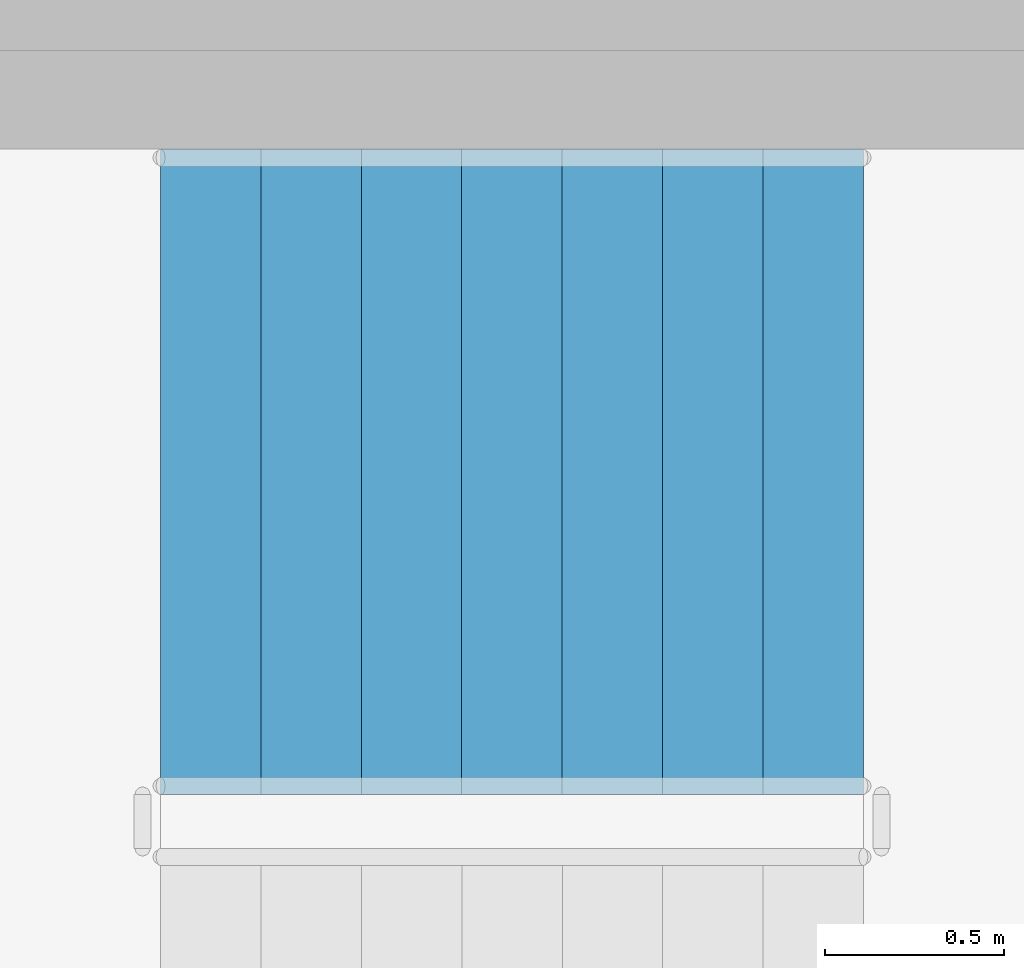
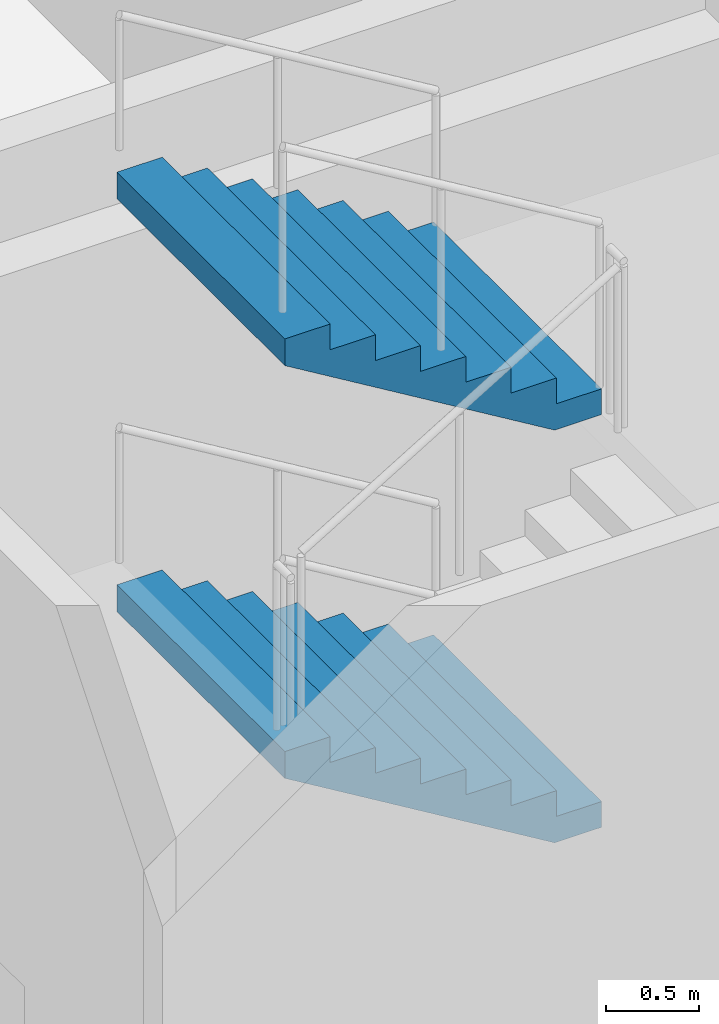
# One storey, part 36 of 101: 2 stair flights, 1 element without a shape of its own.
"""IFC4 building model written with IfcOpenShell, lengths in metres."""

from ifc_helpers import new_model, si_unit, direction, frame, origin, place, context, subcontext, project, spatial, triangles, material, type_object, element, aggregate, save


model = new_model("IFC4")

# Units and contexts
model_context = context("Model", 3, precision=1e-05, world=origin(), true_north=direction((0.0, 1.0)))
body_context = subcontext(model_context, "Body", "Model", "MODEL_VIEW")
ifc_project = project(units=[si_unit("LENGTHUNIT", "METRE"), si_unit("AREAUNIT", "SQUARE_METRE"), si_unit("VOLUMEUNIT", "CUBIC_METRE"), si_unit("PLANEANGLEUNIT", "RADIAN"), si_unit("MASSUNIT", "GRAM", prefix="KILO")], contexts=[model_context])

# Site, building, storey
site_placement = place(None, origin())
site = spatial("IfcSite", under=ifc_project, at=site_placement, CompositionType="ELEMENT")
building_placement = place(site_placement, origin())
building = spatial("IfcBuilding", under=site, at=building_placement, Name="Magnolia Steps Interchange", CompositionType="ELEMENT")
storey_placement = place(building_placement, frame((0.0, 0.0, -5.39990234375)))
storey = spatial("IfcBuildingStorey", under=building, at=storey_placement, Name="B1", CompositionType="ELEMENT", Elevation=-5.39990234375)

# Stair, stair flights
ifc_material_1 = material(Name="Concrete C40", Category="concrete")
stair_type = type_object("IfcStairType", Name="Exit stair 1800", PredefinedType="HALF_TURN_STAIR", material=ifc_material_1)
stair_placement = place(storey_placement, origin())
stair = element("IfcStair", 1, at=stair_placement, inside=storey, type_object=stair_type, Name="B1 Stair 25", PredefinedType="HALF_TURN_STAIR")
ifc_material_2 = material(Name="Concrete C40", Category="concrete")
stair_flight_type = type_object("IfcStairFlightType", Name="Exit stair flight", PredefinedType="STRAIGHT", material=ifc_material_2)
stair_flight_1_placement = place(storey_placement, frame((40.159912109375, 19.5, 1.349853515625), z_axis=(0.0, 0.0, 1.0), x_axis=(-1.0, 0.0, 0.0)))
stair_flight_1 = element("IfcStairFlight", 2, at=stair_flight_1_placement, type_object=stair_flight_type, Name="Stair 25 flight 2", NumberOfRisers=8, NumberOfTreads=7, PredefinedType="STRAIGHT", RiserHeight=0.16875, TreadLength=0.28, context=body_context, shape_type="Tessellation", body=[
    triangles([(0.0, -0.9000244140625, 0.0), (0.29052734375, -0.9000244140625, 0.0), (1.9599609375, -0.9000244140625, 1.00634765625), (1.9599609375, -0.9000244140625, 1.18115234375), (1.679931640625, -0.9000244140625, 1.18115234375), (1.679931640625, -0.9000244140625, 1.012451171875), (1.39990234375, -0.9000244140625, 1.012451171875), (1.39990234375, -0.9000244140625, 0.84375), (1.1201171875, -0.9000244140625, 0.84375), (1.1201171875, -0.9000244140625, 0.675048828125), (0.840087890625, -0.9000244140625, 0.675048828125), (0.840087890625, -0.9000244140625, 0.50634765625), (0.56005859375, -0.9000244140625, 0.50634765625), (0.56005859375, -0.9000244140625, 0.33740234375), (0.280029296875, -0.9000244140625, 0.33740234375), (0.280029296875, -0.9000244140625, 0.168701171875), (0.0, -0.9000244140625, 0.168701171875), (0.0, 0.9000244140625, 0.0), (0.29052734375, 0.9000244140625, 0.0), (1.9599609375, 0.9000244140625, 1.00634765625), (1.9599609375, 0.9000244140625, 1.18115234375), (1.679931640625, 0.9000244140625, 1.18115234375), (1.679931640625, 0.9000244140625, 1.012451171875), (1.39990234375, 0.9000244140625, 1.012451171875), (1.39990234375, 0.9000244140625, 0.84375), (1.1201171875, 0.9000244140625, 0.84375), (1.1201171875, 0.9000244140625, 0.675048828125), (0.840087890625, 0.9000244140625, 0.675048828125), (0.840087890625, 0.9000244140625, 0.50634765625), (0.56005859375, 0.9000244140625, 0.50634765625), (0.56005859375, 0.9000244140625, 0.33740234375), (0.280029296875, 0.9000244140625, 0.33740234375), (0.280029296875, 0.9000244140625, 0.168701171875), (0.0, 0.9000244140625, 0.168701171875), (0.0, 0.0, 0.0), (0.0, 0.0, 0.04217529296875), (0.0, 0.0, 0.0843505859375), (0.0, 0.0, 0.12652587890625), (0.0, 0.0, 0.168701171875), (0.0, -0.05, 0.0), (0.0, -0.05, 0.168701171875), (0.0, 0.05, 0.0), (0.0, 0.05, 0.168701171875), (0.046671549479166664, 0.0, 0.168701171875), (0.09334309895833333, 0.0, 0.168701171875), (0.1400146484375, 0.0, 0.168701171875), (0.18668619791666666, 0.0, 0.168701171875), (0.23335774739583334, 0.0, 0.168701171875), (0.280029296875, 0.0, 0.168701171875), (0.280029296875, -0.05, 0.168701171875), (0.280029296875, 0.05, 0.168701171875), (0.280029296875, 0.0, 0.21087646484375), (0.280029296875, 0.0, 0.2530517578125), (0.280029296875, 0.0, 0.29522705078125), (0.280029296875, 0.0, 0.33740234375), (0.280029296875, -0.05, 0.33740234375), (0.280029296875, 0.05, 0.33740234375), (0.3267008463541667, 0.0, 0.33740234375), (0.3733723958333333, 0.0, 0.33740234375), (0.4200439453125, 0.0, 0.33740234375), (0.46671549479166663, 0.0, 0.33740234375), (0.5133870442708334, 0.0, 0.33740234375), (0.56005859375, 0.0, 0.33740234375), (0.56005859375, -0.05, 0.33740234375), (0.56005859375, 0.05, 0.33740234375), (0.56005859375, 0.0, 0.379638671875), (0.56005859375, 0.0, 0.421875), (0.56005859375, 0.0, 0.464111328125), (0.56005859375, 0.0, 0.50634765625), (0.56005859375, -0.05, 0.50634765625), (0.56005859375, 0.05, 0.50634765625), (0.6067301432291666, 0.0, 0.50634765625), (0.6534016927083334, 0.0, 0.50634765625), (0.7000732421875, 0.0, 0.50634765625), (0.7467447916666666, 0.0, 0.50634765625), (0.7934163411458334, 0.0, 0.50634765625), (0.840087890625, 0.0, 0.50634765625), (0.840087890625, -0.05, 0.50634765625), (0.840087890625, 0.05, 0.50634765625), (0.840087890625, 0.0, 0.54852294921875), (0.840087890625, 0.0, 0.5906982421875), (0.840087890625, 0.0, 0.63287353515625), (0.840087890625, 0.0, 0.675048828125), (0.840087890625, -0.05, 0.675048828125), (0.840087890625, 0.05, 0.675048828125), (0.8867594401041666, 0.0, 0.675048828125), (0.9334309895833334, 0.0, 0.675048828125), (0.9801025390625, 0.0, 0.675048828125), (1.0267740885416667, 0.0, 0.675048828125), (1.0734456380208333, 0.0, 0.675048828125), (1.1201171875, 0.0, 0.675048828125), (1.1201171875, -0.05, 0.675048828125), (1.1201171875, 0.05, 0.675048828125), (1.1201171875, 0.0, 0.71722412109375), (1.1201171875, 0.0, 0.7593994140625), (1.1201171875, 0.0, 0.80157470703125), (1.1201171875, 0.0, 0.84375), (1.1201171875, -0.05, 0.84375), (1.1201171875, 0.05, 0.84375), (1.1900634765625, 0.0, 0.84375), (1.260009765625, 0.0, 0.84375), (1.3299560546875, 0.0, 0.84375), (1.39990234375, 0.0, 0.84375), (1.39990234375, -0.05, 0.84375), (1.39990234375, 0.05, 0.84375), (1.39990234375, 0.0, 0.88592529296875), (1.39990234375, 0.0, 0.9281005859375), (1.39990234375, 0.0, 0.97027587890625), (1.39990234375, 0.0, 1.012451171875), (1.39990234375, -0.05, 1.012451171875), (1.39990234375, 0.05, 1.012451171875), (1.4465738932291667, 0.0, 1.012451171875), (1.4932454427083333, 0.0, 1.012451171875), (1.5399169921875, 0.0, 1.012451171875), (1.5865885416666667, 0.0, 1.012451171875), (1.6332600911458333, 0.0, 1.012451171875), (1.679931640625, 0.0, 1.012451171875), (1.679931640625, -0.05, 1.012451171875), (1.679931640625, 0.05, 1.012451171875), (1.679931640625, 0.0, 1.05462646484375), (1.679931640625, 0.0, 1.0968017578125), (1.679931640625, 0.0, 1.13897705078125), (1.679931640625, 0.0, 1.18115234375), (1.679931640625, -0.05, 1.18115234375), (1.679931640625, 0.05, 1.18115234375), (1.7266031901041667, 0.0, 1.18115234375), (1.7732747395833333, 0.0, 1.18115234375), (1.8199462890625, 0.0, 1.18115234375), (1.8666178385416667, 0.0, 1.18115234375), (1.9132893880208333, 0.0, 1.18115234375), (1.9599609375, 0.0, 1.18115234375), (1.9599609375, -0.05, 1.18115234375), (1.9599609375, 0.05, 1.18115234375), (1.9599609375, 0.0, 1.137451171875), (1.9599609375, 0.0, 1.09375), (1.9599609375, 0.0, 1.050048828125), (1.9599609375, 0.0, 1.00634765625), (1.9599609375, -0.05, 1.00634765625), (1.9599609375, 0.05, 1.00634765625), (1.9003383091517858, 0.0, 0.9704066685267857), (1.8407156808035714, 0.0, 0.9344656808035714), (1.7810930524553572, 0.0, 0.8985246930803571), (1.7214704241071428, 0.0, 0.8625837053571428), (1.6618477957589286, 0.0, 0.8266427176339286), (1.6022251674107144, 0.0, 0.7907017299107143), (1.5426025390625, 0.0, 0.7547607421875), (1.4829799107142856, 0.0, 0.7188197544642857), (1.4233572823660714, 0.0, 0.6828787667410714), (1.3637346540178572, 0.0, 0.6469377790178572), (1.3041120256696428, 0.0, 0.6109967912946428), (1.2444893973214286, 0.0, 0.5750558035714286), (1.1848667689732144, 0.0, 0.5391148158482143), (1.125244140625, 0.0, 0.503173828125), (1.0656215122767856, 0.0, 0.4672328404017857), (1.0059988839285714, 0.0, 0.4312918526785714), (0.9463762555803572, 0.0, 0.3953508649553571), (0.8867536272321428, 0.0, 0.3594098772321429), (0.8271309988839286, 0.0, 0.3234688895089286), (0.7675083705357142, 0.0, 0.2875279017857143), (0.7078857421875, 0.0, 0.2515869140625), (0.6482631138392858, 0.0, 0.2156459263392857), (0.5886404854910714, 0.0, 0.1797049386160714), (0.5290178571428572, 0.0, 0.1437639508928571), (0.4693952287946428, 0.0, 0.1078229631696429), (0.4097726004464286, 0.0, 0.0718819754464286), (0.3501499720982142, 0.0, 0.0359409877232143), (0.29052734375, 0.0, 0.0), (0.29052734375, -0.05, 0.0), (0.29052734375, 0.05, 0.0), (0.24210611979166666, 0.0, 0.0), (0.19368489583333331, 0.0, 0.0), (0.145263671875, 0.0, 0.0), (0.09684244791666666, 0.0, 0.0), (0.04842122395833334, 0.0, 0.0)], [[1, 2, 3], [3, 4, 5], [3, 5, 6], [3, 6, 7], [3, 7, 8], [8, 9, 10], [3, 8, 10], [10, 11, 12], [3, 10, 12], [12, 13, 14], [3, 12, 14], [14, 15, 16], [3, 14, 16], [1, 3, 16], [16, 17, 1], [18, 20, 19], [20, 22, 21], [20, 23, 22], [20, 24, 23], [20, 25, 24], [25, 27, 26], [20, 27, 25], [27, 29, 28], [20, 29, 27], [29, 31, 30], [20, 31, 29], [31, 33, 32], [20, 33, 31], [18, 33, 20], [33, 18, 34], [1, 17, 41], [1, 41, 40], [40, 36, 35], [40, 37, 36], [40, 41, 37], [41, 38, 37], [41, 39, 38], [18, 43, 34], [18, 42, 43], [42, 35, 36], [42, 36, 37], [42, 37, 43], [43, 37, 38], [43, 38, 39], [17, 16, 50], [17, 50, 41], [41, 44, 39], [41, 45, 44], [41, 46, 45], [41, 50, 46], [50, 47, 46], [50, 48, 47], [50, 49, 48], [34, 51, 33], [34, 43, 51], [43, 39, 44], [43, 44, 45], [43, 45, 46], [43, 46, 51], [51, 46, 47], [51, 47, 48], [51, 48, 49], [16, 15, 56], [16, 56, 50], [50, 52, 49], [50, 53, 52], [50, 56, 53], [56, 54, 53], [56, 55, 54], [33, 57, 32], [33, 51, 57], [51, 49, 52], [51, 52, 53], [51, 53, 57], [57, 53, 54], [57, 54, 55], [15, 14, 64], [15, 64, 56], [56, 58, 55], [56, 59, 58], [56, 60, 59], [56, 64, 60], [64, 61, 60], [64, 62, 61], [64, 63, 62], [32, 65, 31], [32, 57, 65], [57, 55, 58], [57, 58, 59], [57, 59, 60], [57, 60, 65], [65, 60, 61], [65, 61, 62], [65, 62, 63], [14, 13, 70], [14, 70, 64], [64, 66, 63], [64, 67, 66], [64, 70, 67], [70, 68, 67], [70, 69, 68], [31, 71, 30], [31, 65, 71], [65, 63, 66], [65, 66, 67], [65, 67, 71], [71, 67, 68], [71, 68, 69], [13, 12, 78], [13, 78, 70], [70, 72, 69], [70, 73, 72], [70, 74, 73], [70, 78, 74], [78, 75, 74], [78, 76, 75], [78, 77, 76], [30, 79, 29], [30, 71, 79], [71, 69, 72], [71, 72, 73], [71, 73, 74], [71, 74, 79], [79, 74, 75], [79, 75, 76], [79, 76, 77], [12, 11, 84], [12, 84, 78], [78, 80, 77], [78, 81, 80], [78, 84, 81], [84, 82, 81], [84, 83, 82], [29, 85, 28], [29, 79, 85], [79, 77, 80], [79, 80, 81], [79, 81, 85], [85, 81, 82], [85, 82, 83], [11, 10, 92], [11, 92, 84], [84, 86, 83], [84, 87, 86], [84, 88, 87], [84, 92, 88], [92, 89, 88], [92, 90, 89], [92, 91, 90], [28, 93, 27], [28, 85, 93], [85, 83, 86], [85, 86, 87], [85, 87, 88], [85, 88, 93], [93, 88, 89], [93, 89, 90], [93, 90, 91], [10, 9, 98], [10, 98, 92], [92, 94, 91], [92, 95, 94], [92, 98, 95], [98, 96, 95], [98, 97, 96], [27, 99, 26], [27, 93, 99], [93, 91, 94], [93, 94, 95], [93, 95, 99], [99, 95, 96], [99, 96, 97], [9, 8, 104], [9, 104, 98], [98, 100, 97], [98, 101, 100], [98, 104, 101], [104, 102, 101], [104, 103, 102], [26, 105, 25], [26, 99, 105], [99, 97, 100], [99, 100, 101], [99, 101, 105], [105, 101, 102], [105, 102, 103], [8, 7, 110], [8, 110, 104], [104, 106, 103], [104, 107, 106], [104, 110, 107], [110, 108, 107], [110, 109, 108], [25, 111, 24], [25, 105, 111], [105, 103, 106], [105, 106, 107], [105, 107, 111], [111, 107, 108], [111, 108, 109], [7, 6, 118], [7, 118, 110], [110, 112, 109], [110, 113, 112], [110, 114, 113], [110, 118, 114], [118, 115, 114], [118, 116, 115], [118, 117, 116], [24, 119, 23], [24, 111, 119], [111, 109, 112], [111, 112, 113], [111, 113, 114], [111, 114, 119], [119, 114, 115], [119, 115, 116], [119, 116, 117], [6, 5, 124], [6, 124, 118], [118, 120, 117], [118, 121, 120], [118, 124, 121], [124, 122, 121], [124, 123, 122], [23, 125, 22], [23, 119, 125], [119, 117, 120], [119, 120, 121], [119, 121, 125], [125, 121, 122], [125, 122, 123], [5, 4, 132], [5, 132, 124], [124, 126, 123], [124, 127, 126], [124, 128, 127], [124, 132, 128], [132, 129, 128], [132, 130, 129], [132, 131, 130], [22, 133, 21], [22, 125, 133], [125, 123, 126], [125, 126, 127], [125, 127, 128], [125, 128, 133], [133, 128, 129], [133, 129, 130], [133, 130, 131], [4, 3, 138], [4, 138, 132], [132, 134, 131], [132, 135, 134], [132, 138, 135], [138, 136, 135], [138, 137, 136], [21, 139, 20], [21, 133, 139], [133, 131, 134], [133, 134, 135], [133, 135, 139], [139, 135, 136], [139, 136, 137], [3, 2, 168], [3, 168, 138], [138, 140, 137], [138, 141, 140], [138, 142, 141], [138, 143, 142], [138, 144, 143], [138, 145, 144], [138, 146, 145], [138, 147, 146], [138, 148, 147], [138, 149, 148], [138, 150, 149], [138, 151, 150], [138, 152, 151], [138, 153, 152], [138, 168, 153], [168, 154, 153], [168, 155, 154], [168, 156, 155], [168, 157, 156], [168, 158, 157], [168, 159, 158], [168, 160, 159], [168, 161, 160], [168, 162, 161], [168, 163, 162], [168, 164, 163], [168, 165, 164], [168, 166, 165], [168, 167, 166], [20, 169, 19], [20, 139, 169], [139, 137, 140], [139, 140, 141], [139, 141, 142], [139, 142, 143], [139, 143, 144], [139, 144, 145], [139, 145, 146], [139, 146, 147], [139, 147, 148], [139, 148, 149], [139, 149, 150], [139, 150, 151], [139, 151, 152], [139, 152, 153], [139, 153, 169], [169, 153, 154], [169, 154, 155], [169, 155, 156], [169, 156, 157], [169, 157, 158], [169, 158, 159], [169, 159, 160], [169, 160, 161], [169, 161, 162], [169, 162, 163], [169, 163, 164], [169, 164, 165], [169, 165, 166], [169, 166, 167], [2, 1, 40], [2, 40, 168], [168, 170, 167], [168, 171, 170], [168, 172, 171], [168, 40, 172], [40, 173, 172], [40, 174, 173], [40, 35, 174], [19, 42, 18], [19, 169, 42], [169, 167, 170], [169, 170, 171], [169, 171, 172], [169, 172, 42], [42, 172, 173], [42, 173, 174], [42, 174, 35]], closed=True),
])
stair_flight_2_placement = place(storey_placement, frame((40.159912109375, 19.5, 4.0498046875), z_axis=(0.0, 0.0, 1.0), x_axis=(-1.0, 0.0, 0.0)))
stair_flight_2 = element("IfcStairFlight", 3, at=stair_flight_2_placement, type_object=stair_flight_type, Name="Stair 25 flight 4", NumberOfRisers=8, NumberOfTreads=7, PredefinedType="STRAIGHT", RiserHeight=0.16875, TreadLength=0.28, context=body_context, shape_type="Tessellation", body=[
    triangles([(0.0, -0.9000244140625, 0.0), (0.29052734375, -0.9000244140625, 0.0), (1.9599609375, -0.9000244140625, 1.00634765625), (1.9599609375, -0.9000244140625, 1.18115234375), (1.679931640625, -0.9000244140625, 1.18115234375), (1.679931640625, -0.9000244140625, 1.012451171875), (1.39990234375, -0.9000244140625, 1.012451171875), (1.39990234375, -0.9000244140625, 0.84375), (1.1201171875, -0.9000244140625, 0.84375), (1.1201171875, -0.9000244140625, 0.675048828125), (0.840087890625, -0.9000244140625, 0.675048828125), (0.840087890625, -0.9000244140625, 0.50634765625), (0.56005859375, -0.9000244140625, 0.50634765625), (0.56005859375, -0.9000244140625, 0.33740234375), (0.280029296875, -0.9000244140625, 0.33740234375), (0.280029296875, -0.9000244140625, 0.168701171875), (0.0, -0.9000244140625, 0.168701171875), (0.0, 0.9000244140625, 0.0), (0.29052734375, 0.9000244140625, 0.0), (1.9599609375, 0.9000244140625, 1.00634765625), (1.9599609375, 0.9000244140625, 1.18115234375), (1.679931640625, 0.9000244140625, 1.18115234375), (1.679931640625, 0.9000244140625, 1.012451171875), (1.39990234375, 0.9000244140625, 1.012451171875), (1.39990234375, 0.9000244140625, 0.84375), (1.1201171875, 0.9000244140625, 0.84375), (1.1201171875, 0.9000244140625, 0.675048828125), (0.840087890625, 0.9000244140625, 0.675048828125), (0.840087890625, 0.9000244140625, 0.50634765625), (0.56005859375, 0.9000244140625, 0.50634765625), (0.56005859375, 0.9000244140625, 0.33740234375), (0.280029296875, 0.9000244140625, 0.33740234375), (0.280029296875, 0.9000244140625, 0.168701171875), (0.0, 0.9000244140625, 0.168701171875), (0.0, 0.0, 0.0), (0.0, 0.0, 0.04217529296875), (0.0, 0.0, 0.0843505859375), (0.0, 0.0, 0.12652587890625), (0.0, 0.0, 0.168701171875), (0.0, -0.05, 0.0), (0.0, -0.05, 0.168701171875), (0.0, 0.05, 0.0), (0.0, 0.05, 0.168701171875), (0.046671549479166664, 0.0, 0.168701171875), (0.09334309895833333, 0.0, 0.168701171875), (0.1400146484375, 0.0, 0.168701171875), (0.18668619791666666, 0.0, 0.168701171875), (0.23335774739583334, 0.0, 0.168701171875), (0.280029296875, 0.0, 0.168701171875), (0.280029296875, -0.05, 0.168701171875), (0.280029296875, 0.05, 0.168701171875), (0.280029296875, 0.0, 0.21087646484375), (0.280029296875, 0.0, 0.2530517578125), (0.280029296875, 0.0, 0.29522705078125), (0.280029296875, 0.0, 0.33740234375), (0.280029296875, -0.05, 0.33740234375), (0.280029296875, 0.05, 0.33740234375), (0.3267008463541667, 0.0, 0.33740234375), (0.3733723958333333, 0.0, 0.33740234375), (0.4200439453125, 0.0, 0.33740234375), (0.46671549479166663, 0.0, 0.33740234375), (0.5133870442708334, 0.0, 0.33740234375), (0.56005859375, 0.0, 0.33740234375), (0.56005859375, -0.05, 0.33740234375), (0.56005859375, 0.05, 0.33740234375), (0.56005859375, 0.0, 0.379638671875), (0.56005859375, 0.0, 0.421875), (0.56005859375, 0.0, 0.464111328125), (0.56005859375, 0.0, 0.50634765625), (0.56005859375, -0.05, 0.50634765625), (0.56005859375, 0.05, 0.50634765625), (0.6067301432291666, 0.0, 0.50634765625), (0.6534016927083334, 0.0, 0.50634765625), (0.7000732421875, 0.0, 0.50634765625), (0.7467447916666666, 0.0, 0.50634765625), (0.7934163411458334, 0.0, 0.50634765625), (0.840087890625, 0.0, 0.50634765625), (0.840087890625, -0.05, 0.50634765625), (0.840087890625, 0.05, 0.50634765625), (0.840087890625, 0.0, 0.54852294921875), (0.840087890625, 0.0, 0.5906982421875), (0.840087890625, 0.0, 0.63287353515625), (0.840087890625, 0.0, 0.675048828125), (0.840087890625, -0.05, 0.675048828125), (0.840087890625, 0.05, 0.675048828125), (0.8867594401041666, 0.0, 0.675048828125), (0.9334309895833334, 0.0, 0.675048828125), (0.9801025390625, 0.0, 0.675048828125), (1.0267740885416667, 0.0, 0.675048828125), (1.0734456380208333, 0.0, 0.675048828125), (1.1201171875, 0.0, 0.675048828125), (1.1201171875, -0.05, 0.675048828125), (1.1201171875, 0.05, 0.675048828125), (1.1201171875, 0.0, 0.71722412109375), (1.1201171875, 0.0, 0.7593994140625), (1.1201171875, 0.0, 0.80157470703125), (1.1201171875, 0.0, 0.84375), (1.1201171875, -0.05, 0.84375), (1.1201171875, 0.05, 0.84375), (1.1900634765625, 0.0, 0.84375), (1.260009765625, 0.0, 0.84375), (1.3299560546875, 0.0, 0.84375), (1.39990234375, 0.0, 0.84375), (1.39990234375, -0.05, 0.84375), (1.39990234375, 0.05, 0.84375), (1.39990234375, 0.0, 0.88592529296875), (1.39990234375, 0.0, 0.9281005859375), (1.39990234375, 0.0, 0.97027587890625), (1.39990234375, 0.0, 1.012451171875), (1.39990234375, -0.05, 1.012451171875), (1.39990234375, 0.05, 1.012451171875), (1.4465738932291667, 0.0, 1.012451171875), (1.4932454427083333, 0.0, 1.012451171875), (1.5399169921875, 0.0, 1.012451171875), (1.5865885416666667, 0.0, 1.012451171875), (1.6332600911458333, 0.0, 1.012451171875), (1.679931640625, 0.0, 1.012451171875), (1.679931640625, -0.05, 1.012451171875), (1.679931640625, 0.05, 1.012451171875), (1.679931640625, 0.0, 1.05462646484375), (1.679931640625, 0.0, 1.0968017578125), (1.679931640625, 0.0, 1.13897705078125), (1.679931640625, 0.0, 1.18115234375), (1.679931640625, -0.05, 1.18115234375), (1.679931640625, 0.05, 1.18115234375), (1.7266031901041667, 0.0, 1.18115234375), (1.7732747395833333, 0.0, 1.18115234375), (1.8199462890625, 0.0, 1.18115234375), (1.8666178385416667, 0.0, 1.18115234375), (1.9132893880208333, 0.0, 1.18115234375), (1.9599609375, 0.0, 1.18115234375), (1.9599609375, -0.05, 1.18115234375), (1.9599609375, 0.05, 1.18115234375), (1.9599609375, 0.0, 1.137451171875), (1.9599609375, 0.0, 1.09375), (1.9599609375, 0.0, 1.050048828125), (1.9599609375, 0.0, 1.00634765625), (1.9599609375, -0.05, 1.00634765625), (1.9599609375, 0.05, 1.00634765625), (1.9003383091517858, 0.0, 0.9704066685267857), (1.8407156808035714, 0.0, 0.9344656808035714), (1.7810930524553572, 0.0, 0.8985246930803571), (1.7214704241071428, 0.0, 0.8625837053571428), (1.6618477957589286, 0.0, 0.8266427176339286), (1.6022251674107144, 0.0, 0.7907017299107143), (1.5426025390625, 0.0, 0.7547607421875), (1.4829799107142856, 0.0, 0.7188197544642857), (1.4233572823660714, 0.0, 0.6828787667410714), (1.3637346540178572, 0.0, 0.6469377790178572), (1.3041120256696428, 0.0, 0.6109967912946428), (1.2444893973214286, 0.0, 0.5750558035714286), (1.1848667689732144, 0.0, 0.5391148158482143), (1.125244140625, 0.0, 0.503173828125), (1.0656215122767856, 0.0, 0.4672328404017857), (1.0059988839285714, 0.0, 0.4312918526785714), (0.9463762555803572, 0.0, 0.3953508649553571), (0.8867536272321428, 0.0, 0.3594098772321429), (0.8271309988839286, 0.0, 0.3234688895089286), (0.7675083705357142, 0.0, 0.2875279017857143), (0.7078857421875, 0.0, 0.2515869140625), (0.6482631138392858, 0.0, 0.2156459263392857), (0.5886404854910714, 0.0, 0.1797049386160714), (0.5290178571428572, 0.0, 0.1437639508928571), (0.4693952287946428, 0.0, 0.1078229631696429), (0.4097726004464286, 0.0, 0.0718819754464286), (0.3501499720982142, 0.0, 0.0359409877232143), (0.29052734375, 0.0, 0.0), (0.29052734375, -0.05, 0.0), (0.29052734375, 0.05, 0.0), (0.24210611979166666, 0.0, 0.0), (0.19368489583333331, 0.0, 0.0), (0.145263671875, 0.0, 0.0), (0.09684244791666666, 0.0, 0.0), (0.04842122395833334, 0.0, 0.0)], [[1, 2, 3], [3, 4, 5], [3, 5, 6], [3, 6, 7], [3, 7, 8], [8, 9, 10], [3, 8, 10], [10, 11, 12], [3, 10, 12], [12, 13, 14], [3, 12, 14], [14, 15, 16], [3, 14, 16], [1, 3, 16], [16, 17, 1], [18, 20, 19], [20, 22, 21], [20, 23, 22], [20, 24, 23], [20, 25, 24], [25, 27, 26], [20, 27, 25], [27, 29, 28], [20, 29, 27], [29, 31, 30], [20, 31, 29], [31, 33, 32], [20, 33, 31], [18, 33, 20], [33, 18, 34], [1, 17, 41], [1, 41, 40], [40, 36, 35], [40, 37, 36], [40, 41, 37], [41, 38, 37], [41, 39, 38], [18, 43, 34], [18, 42, 43], [42, 35, 36], [42, 36, 37], [42, 37, 43], [43, 37, 38], [43, 38, 39], [17, 16, 50], [17, 50, 41], [41, 44, 39], [41, 45, 44], [41, 46, 45], [41, 50, 46], [50, 47, 46], [50, 48, 47], [50, 49, 48], [34, 51, 33], [34, 43, 51], [43, 39, 44], [43, 44, 45], [43, 45, 46], [43, 46, 51], [51, 46, 47], [51, 47, 48], [51, 48, 49], [16, 15, 56], [16, 56, 50], [50, 52, 49], [50, 53, 52], [50, 56, 53], [56, 54, 53], [56, 55, 54], [33, 57, 32], [33, 51, 57], [51, 49, 52], [51, 52, 53], [51, 53, 57], [57, 53, 54], [57, 54, 55], [15, 14, 64], [15, 64, 56], [56, 58, 55], [56, 59, 58], [56, 60, 59], [56, 64, 60], [64, 61, 60], [64, 62, 61], [64, 63, 62], [32, 65, 31], [32, 57, 65], [57, 55, 58], [57, 58, 59], [57, 59, 60], [57, 60, 65], [65, 60, 61], [65, 61, 62], [65, 62, 63], [14, 13, 70], [14, 70, 64], [64, 66, 63], [64, 67, 66], [64, 70, 67], [70, 68, 67], [70, 69, 68], [31, 71, 30], [31, 65, 71], [65, 63, 66], [65, 66, 67], [65, 67, 71], [71, 67, 68], [71, 68, 69], [13, 12, 78], [13, 78, 70], [70, 72, 69], [70, 73, 72], [70, 74, 73], [70, 78, 74], [78, 75, 74], [78, 76, 75], [78, 77, 76], [30, 79, 29], [30, 71, 79], [71, 69, 72], [71, 72, 73], [71, 73, 74], [71, 74, 79], [79, 74, 75], [79, 75, 76], [79, 76, 77], [12, 11, 84], [12, 84, 78], [78, 80, 77], [78, 81, 80], [78, 84, 81], [84, 82, 81], [84, 83, 82], [29, 85, 28], [29, 79, 85], [79, 77, 80], [79, 80, 81], [79, 81, 85], [85, 81, 82], [85, 82, 83], [11, 10, 92], [11, 92, 84], [84, 86, 83], [84, 87, 86], [84, 88, 87], [84, 92, 88], [92, 89, 88], [92, 90, 89], [92, 91, 90], [28, 93, 27], [28, 85, 93], [85, 83, 86], [85, 86, 87], [85, 87, 88], [85, 88, 93], [93, 88, 89], [93, 89, 90], [93, 90, 91], [10, 9, 98], [10, 98, 92], [92, 94, 91], [92, 95, 94], [92, 98, 95], [98, 96, 95], [98, 97, 96], [27, 99, 26], [27, 93, 99], [93, 91, 94], [93, 94, 95], [93, 95, 99], [99, 95, 96], [99, 96, 97], [9, 8, 104], [9, 104, 98], [98, 100, 97], [98, 101, 100], [98, 104, 101], [104, 102, 101], [104, 103, 102], [26, 105, 25], [26, 99, 105], [99, 97, 100], [99, 100, 101], [99, 101, 105], [105, 101, 102], [105, 102, 103], [8, 7, 110], [8, 110, 104], [104, 106, 103], [104, 107, 106], [104, 110, 107], [110, 108, 107], [110, 109, 108], [25, 111, 24], [25, 105, 111], [105, 103, 106], [105, 106, 107], [105, 107, 111], [111, 107, 108], [111, 108, 109], [7, 6, 118], [7, 118, 110], [110, 112, 109], [110, 113, 112], [110, 114, 113], [110, 118, 114], [118, 115, 114], [118, 116, 115], [118, 117, 116], [24, 119, 23], [24, 111, 119], [111, 109, 112], [111, 112, 113], [111, 113, 114], [111, 114, 119], [119, 114, 115], [119, 115, 116], [119, 116, 117], [6, 5, 124], [6, 124, 118], [118, 120, 117], [118, 121, 120], [118, 124, 121], [124, 122, 121], [124, 123, 122], [23, 125, 22], [23, 119, 125], [119, 117, 120], [119, 120, 121], [119, 121, 125], [125, 121, 122], [125, 122, 123], [5, 4, 132], [5, 132, 124], [124, 126, 123], [124, 127, 126], [124, 128, 127], [124, 132, 128], [132, 129, 128], [132, 130, 129], [132, 131, 130], [22, 133, 21], [22, 125, 133], [125, 123, 126], [125, 126, 127], [125, 127, 128], [125, 128, 133], [133, 128, 129], [133, 129, 130], [133, 130, 131], [4, 3, 138], [4, 138, 132], [132, 134, 131], [132, 135, 134], [132, 138, 135], [138, 136, 135], [138, 137, 136], [21, 139, 20], [21, 133, 139], [133, 131, 134], [133, 134, 135], [133, 135, 139], [139, 135, 136], [139, 136, 137], [3, 2, 168], [3, 168, 138], [138, 140, 137], [138, 141, 140], [138, 142, 141], [138, 143, 142], [138, 144, 143], [138, 145, 144], [138, 146, 145], [138, 147, 146], [138, 148, 147], [138, 149, 148], [138, 150, 149], [138, 151, 150], [138, 152, 151], [138, 153, 152], [138, 168, 153], [168, 154, 153], [168, 155, 154], [168, 156, 155], [168, 157, 156], [168, 158, 157], [168, 159, 158], [168, 160, 159], [168, 161, 160], [168, 162, 161], [168, 163, 162], [168, 164, 163], [168, 165, 164], [168, 166, 165], [168, 167, 166], [20, 169, 19], [20, 139, 169], [139, 137, 140], [139, 140, 141], [139, 141, 142], [139, 142, 143], [139, 143, 144], [139, 144, 145], [139, 145, 146], [139, 146, 147], [139, 147, 148], [139, 148, 149], [139, 149, 150], [139, 150, 151], [139, 151, 152], [139, 152, 153], [139, 153, 169], [169, 153, 154], [169, 154, 155], [169, 155, 156], [169, 156, 157], [169, 157, 158], [169, 158, 159], [169, 159, 160], [169, 160, 161], [169, 161, 162], [169, 162, 163], [169, 163, 164], [169, 164, 165], [169, 165, 166], [169, 166, 167], [2, 1, 40], [2, 40, 168], [168, 170, 167], [168, 171, 170], [168, 172, 171], [168, 40, 172], [40, 173, 172], [40, 174, 173], [40, 35, 174], [19, 42, 18], [19, 169, 42], [169, 167, 170], [169, 170, 171], [169, 171, 172], [169, 172, 42], [42, 172, 173], [42, 173, 174], [42, 174, 35]], closed=True),
])
aggregate(stair, [stair_flight_1, stair_flight_2])

save(model, "model.ifc")
